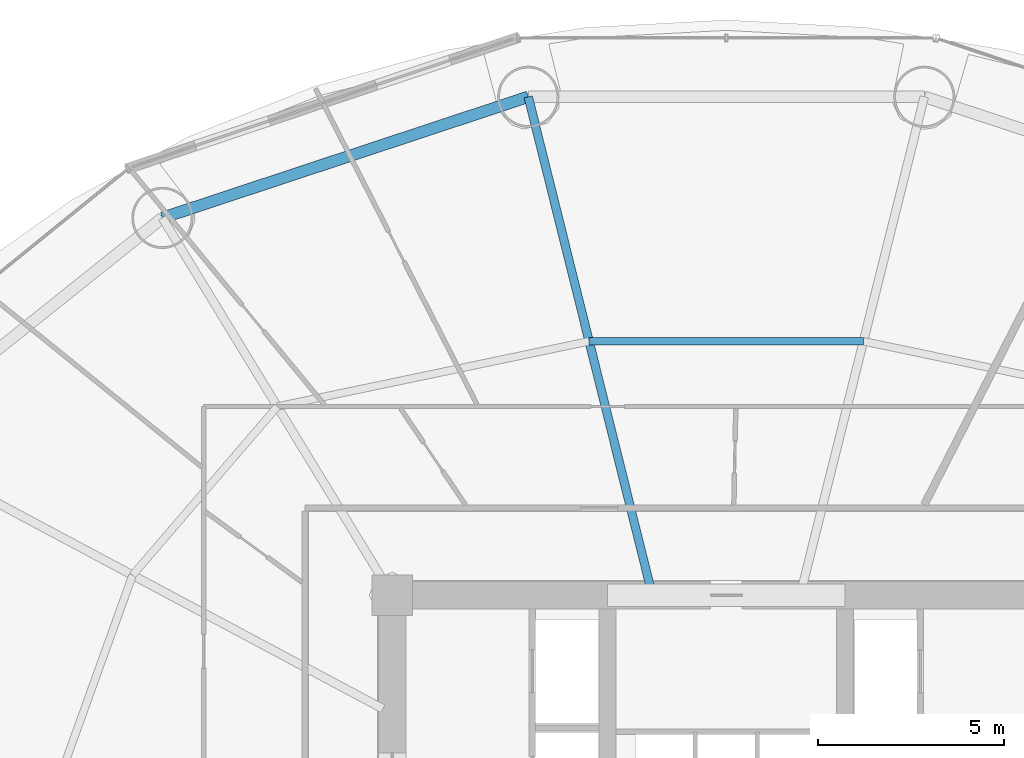
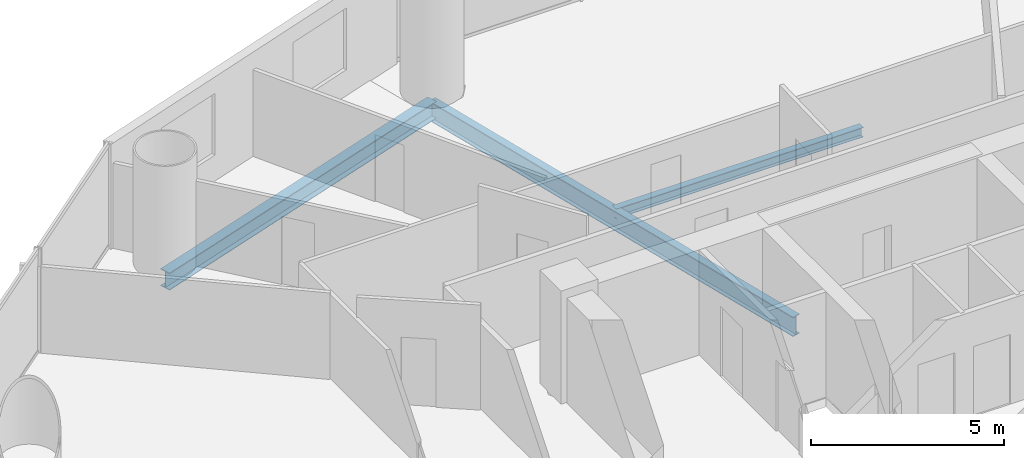
# One storey, part 17 of 30: 3 beams.
"""IFC4 building model written with IfcOpenShell, lengths in metres."""

import ifcopenshell
import ifcopenshell.guid

model = None  # the IFC model being written
_history = None  # IfcOwnerHistory: only IFC2X3 demands one
_inside = {}  # id of a spatial element -> (the spatial element, [elements in it])
_under = {}  # id of a project, library or spatial element -> (it, [spatial elements below it])
_declared = {}  # id of a project -> (the project, [libraries it declares])
_typed = {}  # id of a type object -> (the type object, [elements of that type])
_made_of = {}  # id of a material, layer set ... -> (it, [elements and type objects made of it])


def new_model(schema):
    """Start an empty IFC model of exactly this schema.

    Asked for "IFC4X3", IfcOpenShell would pick the latest addendum, in which some entities
    have other attributes; the version numbers below select the first issue.
    IFC2X3 requires an IfcOwnerHistory on every rooted entity: one is made here for all.
    """
    global model, _history
    if schema == "IFC4X3":
        model = ifcopenshell.file(schema_version=(4, 3, 0, 0))
    else:
        model = ifcopenshell.file(schema=schema)
    _inside.clear()
    _under.clear()
    _declared.clear()
    _typed.clear()
    _made_of.clear()
    _history = None
    if model.schema == "IFC2X3":
        org = make("IfcOrganization", Name="unknown")
        user = make(
            "IfcPersonAndOrganization",
            ThePerson=make("IfcPerson", FamilyName="unknown"),
            TheOrganization=org,
        )
        app = make(
            "IfcApplication",
            ApplicationDeveloper=org,
            Version="unknown",
            ApplicationFullName="unknown",
            ApplicationIdentifier="unknown",
        )
        _history = make(
            "IfcOwnerHistory",
            OwningUser=user,
            OwningApplication=app,
            ChangeAction="ADDED",
            CreationDate=0,
        )
    return model


def make(cls, **values):
    """One entity of the class cls with the attributes given. An attribute that is None is left unset."""
    return model.create_entity(
        cls, **{name: value for name, value in values.items() if value is not None}
    )


def rooted(cls, **values):
    """An entity with a GlobalId (a new one), such as an element, a storey or a relation."""
    return make(cls, GlobalId=ifcopenshell.guid.new(), OwnerHistory=_history, **values)


def si_unit(unit_type, name, prefix=None):
    """IfcSIUnit, for example si_unit("LENGTHUNIT", "METRE", prefix="MILLI")."""
    return make("IfcSIUnit", UnitType=unit_type, Prefix=prefix, Name=name)


def assignment(units):
    """IfcUnitAssignment: the units of a project."""
    return None if units is None else make("IfcUnitAssignment", Units=units)


def point(xyz):
    """IfcCartesianPoint."""
    return None if xyz is None else make("IfcCartesianPoint", Coordinates=xyz)


def direction(xyz):
    """IfcDirection."""
    return None if xyz is None else make("IfcDirection", DirectionRatios=xyz)


def frame(location, z_axis=None, x_axis=None):
    """IfcAxis2Placement3D, a coordinate frame: its origin and axes. An axis left out is left unset."""
    return make(
        "IfcAxis2Placement3D",
        Location=point(location),
        Axis=direction(z_axis),
        RefDirection=direction(x_axis),
    )


def frame_2d(location, x_axis=None):
    """IfcAxis2Placement2D, a coordinate frame in the plane: its origin and x axis."""
    return make(
        "IfcAxis2Placement2D", Location=point(location), RefDirection=direction(x_axis)
    )


def origin():
    """The frame at (0, 0, 0) with its axes left unset."""
    return frame((0.0, 0.0, 0.0))


def origin_2d():
    """The frame at (0, 0) in the plane with its x axis left unset."""
    return frame_2d((0.0, 0.0))


def place(relative_to, where):
    """IfcLocalPlacement: puts the frame where relative to a parent placement (None: the world)."""
    return make(
        "IfcLocalPlacement", PlacementRelTo=relative_to, RelativePlacement=where
    )


def context(
    kind, dimensions, precision=None, world=None, true_north=None, identifier=None
):
    """IfcGeometricRepresentationContext, for example the 3D "Model" context."""
    return make(
        "IfcGeometricRepresentationContext",
        ContextIdentifier=identifier,
        ContextType=kind,
        CoordinateSpaceDimension=dimensions,
        Precision=precision,
        WorldCoordinateSystem=world,
        TrueNorth=true_north,
    )


def subcontext(parent, identifier, kind, view, scale=None):
    """IfcGeometricRepresentationSubContext, for example "Body" below "Model"."""
    return make(
        "IfcGeometricRepresentationSubContext",
        ContextIdentifier=identifier,
        ContextType=kind,
        ParentContext=parent,
        TargetScale=scale,
        TargetView=view,
    )


def project(units=None, contexts=None):
    """IfcProject with its units and contexts."""
    return rooted(
        "IfcProject",
        Name="project",
        RepresentationContexts=contexts,
        UnitsInContext=assignment(units),
    )


def spatial(cls, under=None, at=None, **own):
    """A site, building, storey or space (cls), placed at a placement, below another one or the project."""
    s = rooted(cls, ObjectPlacement=at, **own)
    if under is not None:
        _under.setdefault(under.id(), (under, []))[1].append(s)
    return s


def profile(cls, at=None, kind="AREA", **sizes):
    """A parametric profile (cls). Its sizes go by their IFC names, for example OverallWidth=200.0."""
    return make(cls, ProfileType=kind, Position=at, **sizes)


def i_section(**sizes):
    """IfcIShapeProfileDef."""
    return profile("IfcIShapeProfileDef", **sizes)


def extrude(swept, where, along, depth):
    """IfcExtrudedAreaSolid: the profile swept, set in the frame where, extruded along a direction by depth."""
    return make(
        "IfcExtrudedAreaSolid",
        SweptArea=swept,
        Position=where,
        ExtrudedDirection=direction(along),
        Depth=depth,
    )


def shape(context_of_items, identifier, shape_type, items):
    """IfcShapeRepresentation: the items that make up one representation, for example the "Body"."""
    return make(
        "IfcShapeRepresentation",
        ContextOfItems=context_of_items,
        RepresentationIdentifier=identifier,
        RepresentationType=shape_type,
        Items=items,
    )


def material(Name=None, Category=None):
    """IfcMaterial."""
    return make("IfcMaterial", Name=Name, Category=Category)


def material_profile(
    of_material, cross_section, Name=None, Category=None, Priority=None
):
    """IfcMaterialProfile: a cross section and its material."""
    return make(
        "IfcMaterialProfile",
        Name=Name,
        Material=of_material,
        Profile=cross_section,
        Priority=Priority,
        Category=Category,
    )


def profile_set(profiles, Name=None, composite=None):
    """IfcMaterialProfileSet."""
    return make(
        "IfcMaterialProfileSet",
        Name=Name,
        MaterialProfiles=profiles,
        CompositeProfile=composite,
    )


def made_of(thing, what):
    """Note that an element or type object is made of a material, layer set ...; save() writes the relation."""
    if what is not None:
        _made_of.setdefault(what.id(), (what, []))[1].append(thing)
    return thing


def type_object(cls, material=None, **own):
    """A type object (cls), such as IfcWallType, which elements share."""
    return made_of(rooted(cls, **own), material)


def element(
    cls,
    number,
    at=None,
    inside=None,
    cuts=None,
    type_object=None,
    material=None,
    context=None,
    identifier="Body",
    shape_type=None,
    held_by="IfcProductDefinitionShape",
    body=None,
    shapes=None,
    **own,
):
    """One element of the class cls, such as IfcWall. Its Tag is "e" and its number.

    at: its placement. inside: the storey or other place that contains it. cuts: it is an
    opening in that element (IfcRelVoidsElement). A single representation is given by context,
    identifier, shape_type and body (its items); several are given by shapes. held_by: the class
    of the entity that holds the representations. save() writes the other relations.
    """
    e = rooted(cls, Tag="e%d" % number, ObjectPlacement=at, **own)
    if body is not None:
        shapes = [shape(context, identifier, shape_type, body)]
    if shapes is not None:
        e.Representation = make(held_by, Representations=shapes)
    if inside is not None:
        _inside.setdefault(inside.id(), (inside, []))[1].append(e)
    if cuts is not None:
        rooted(
            "IfcRelVoidsElement", RelatingBuildingElement=cuts, RelatedOpeningElement=e
        )
    if type_object is not None:
        _typed.setdefault(type_object.id(), (type_object, []))[1].append(e)
    return made_of(e, material)


def aggregate(whole, parts):
    """IfcRelAggregates: a whole, such as a stair, and the parts it consists of."""
    return rooted("IfcRelAggregates", RelatingObject=whole, RelatedObjects=parts)


def save(model, path):
    """Write the relations noted so far, then the file.

    IfcRelAggregates (storeys below a building ...), IfcRelContainedInSpatialStructure (elements
    in a storey), IfcRelDefinesByType, IfcRelAssociatesMaterial and IfcRelDeclares: one each for
    every whole, place, type object, material and project.
    """
    for whole, parts in _under.values():
        aggregate(whole, parts)
    for where, things in _inside.values():
        rooted(
            "IfcRelContainedInSpatialStructure",
            RelatedElements=things,
            RelatingStructure=where,
        )
    for kind, things in _typed.values():
        rooted("IfcRelDefinesByType", RelatedObjects=things, RelatingType=kind)
    for what, things in _made_of.values():
        rooted("IfcRelAssociatesMaterial", RelatedObjects=things, RelatingMaterial=what)
    for by, libraries in _declared.values():
        rooted("IfcRelDeclares", RelatingContext=by, RelatedDefinitions=libraries)
    model.write(path)


model = new_model("IFC4")

# Units and contexts
model_context = context("Model", 3, precision=1e-05, world=origin(), true_north=direction((-0.2419218956, 0.970295726276)))
body_context = subcontext(model_context, "Body", "Model", "MODEL_VIEW")
ifc_project = project(units=[si_unit("LENGTHUNIT", "METRE"), si_unit("AREAUNIT", "SQUARE_METRE"), si_unit("VOLUMEUNIT", "CUBIC_METRE"), si_unit("PLANEANGLEUNIT", "RADIAN"), si_unit("MASSUNIT", "GRAM", prefix="KILO")], contexts=[model_context])

# Site, building, storey
site_placement = place(None, origin())
site = spatial("IfcSite", under=ifc_project, at=site_placement, CompositionType="ELEMENT")
building_placement = place(site_placement, origin())
building = spatial("IfcBuilding", under=site, at=building_placement, Name="Cobrevalo Terracotta Tower", CompositionType="ELEMENT")
storey_placement = place(building_placement, frame((0.0, 0.0, 27.60009765625)))
storey = spatial("IfcBuildingStorey", under=building, at=storey_placement, Name="L06", CompositionType="ELEMENT", Elevation=27.60009765625)

# Beams
ifc_material = material(Name="Steel S355", Category="steel")
ifc_material_profile_1 = material_profile(ifc_material, i_section(OverallWidth=0.22998046875, OverallDepth=0.616943359375, WebThickness=0.01318359375, FlangeThickness=0.022216796875, at=origin_2d()), Name="W 610x140")
ifc_profile_set_1 = profile_set([ifc_material_profile_1], Name="Steel S355")
beam_type_1 = type_object("IfcBeamType", Name="Structural Beam W 610x140 (Steel S355)", PredefinedType="BEAM", material=ifc_profile_set_1)
beam_1_placement = place(storey_placement, frame((32.664306640625, 48.230224609375, -0.588623046875), z_axis=(0.241596254786, -0.970376859614, 0.0), x_axis=(0.970376859614, 0.241596254786, 0.0)))
element("IfcBeam", 1, at=beam_1_placement, inside=storey, type_object=beam_type_1, Name="L06 radial floor girder 05", PredefinedType="BEAM", context=body_context, shape_type="SweptSolid", body=[
    extrude(i_section(OverallWidth=0.22998046875, OverallDepth=0.616943359375, WebThickness=0.01318359375, FlangeThickness=0.022216796875, at=origin_2d()), origin(), (0.0, 0.0, 1.0), 13.577392578125),
])
ifc_material_profile_2 = material_profile(ifc_material, i_section(OverallWidth=0.2041015625, OverallDepth=0.305908203125, WebThickness=0.008544921875, FlangeThickness=0.0146484375, at=origin_2d()), Name="W 310x67")
ifc_profile_set_2 = profile_set([ifc_material_profile_2], Name="Steel S355")
beam_type_2 = type_object("IfcBeamType", Name="Structural Joist W 310x67 (Steel S355)", PredefinedType="JOIST", material=ifc_profile_set_2)
beam_2_placement = place(storey_placement, frame((41.695556640625, 41.642578125, -0.43310546875), z_axis=(-1.0, 0.0, 0.0), x_axis=(0.0, -1.0, 0.0)))
element("IfcBeam", 2, at=beam_2_placement, inside=storey, type_object=beam_type_2, Name="L06 circumferential secondary floor joist 04", PredefinedType="JOIST", context=body_context, shape_type="SweptSolid", body=[
    extrude(i_section(OverallWidth=0.2041015625, OverallDepth=0.305908203125, WebThickness=0.008544921875, FlangeThickness=0.0146484375, at=origin_2d()), origin(), (0.0, 0.0, 1.0), 7.39111328125),
])
ifc_material_profile_3 = material_profile(ifc_material, i_section(OverallWidth=0.31201171875, OverallDepth=0.54296875, WebThickness=0.0126953125, FlangeThickness=0.020263671875, at=origin_2d()), Name="W 530x150")
ifc_profile_set_3 = profile_set([ifc_material_profile_3], Name="Steel S355")
beam_type_3 = type_object("IfcBeamType", Name="Structural Spandrel W 530x150 (Steel S355)", PredefinedType="SPANDREL", material=ifc_profile_set_3)
beam_3_placement = place(storey_placement, frame((32.664306640625, 48.230224609375, -0.551513671875), z_axis=(-0.949365190876, -0.314174687638, 0.0), x_axis=(0.314174687638, -0.949365190876, 0.0)))
element("IfcBeam", 3, at=beam_3_placement, inside=storey, type_object=beam_type_3, Name="L06 perimeter ring spandrel 05", PredefinedType="SPANDREL", context=body_context, shape_type="SweptSolid", body=[
    extrude(i_section(OverallWidth=0.31201171875, OverallDepth=0.54296875, WebThickness=0.0126953125, FlangeThickness=0.020263671875, at=origin_2d()), origin(), (0.0, 0.0, 1.0), 10.385009765625),
])

save(model, "model.ifc")
